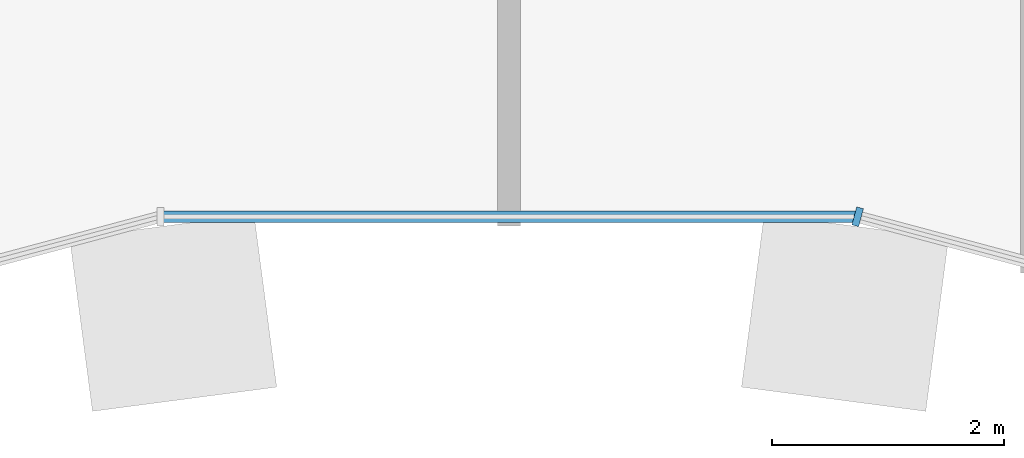
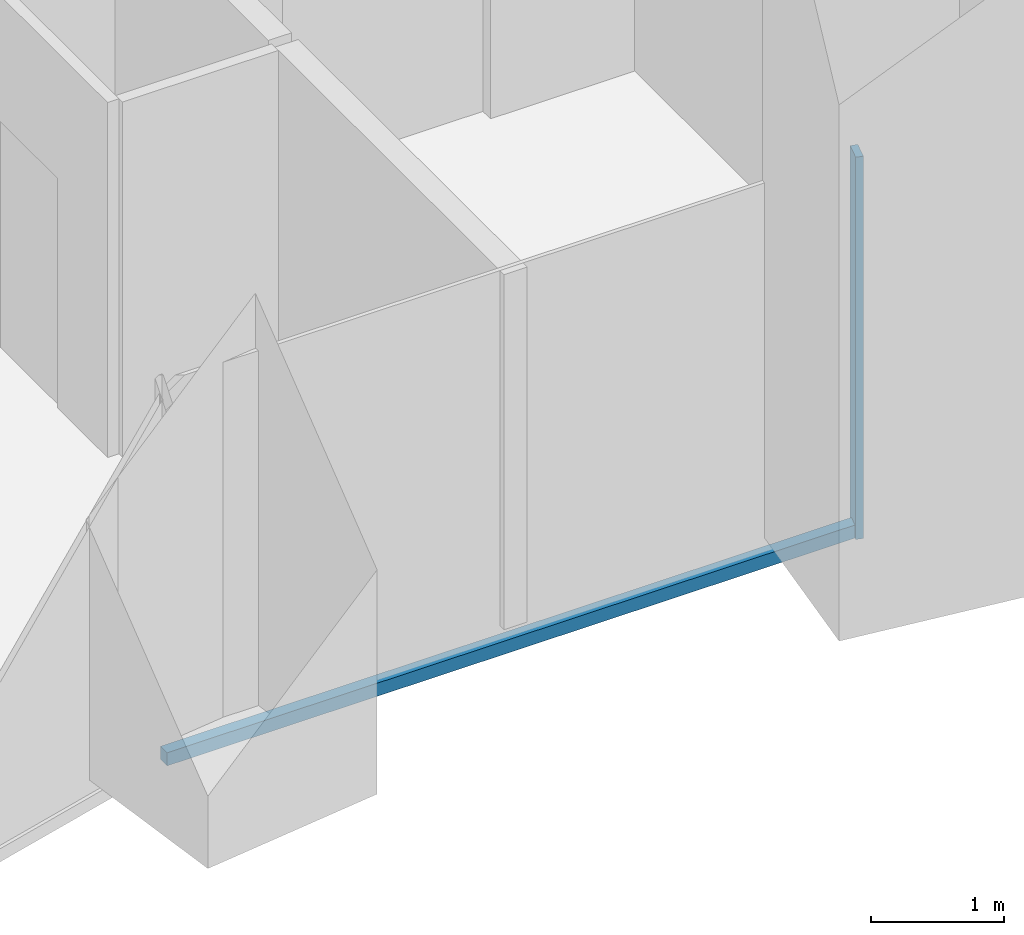
# One storey, part 3 of 17: 2 members, 2 elements without a shape of their own.
"""IFC4 building model written with IfcOpenShell, lengths in metres."""

from ifc_helpers import new_model, si_unit, direction, frame, origin, origin_2d, place, context, subcontext, project, spatial, rectangle, extrude, material, layer, layer_set, material_profile, profile_set, type_object, element, aggregate, save


model = new_model("IFC4")

# Units and contexts
model_context = context("Model", 3, precision=1e-05, world=origin(), true_north=direction((0.0, 1.0)))
body_context = subcontext(model_context, "Body", "Model", "MODEL_VIEW")
ifc_project = project(units=[si_unit("LENGTHUNIT", "METRE"), si_unit("AREAUNIT", "SQUARE_METRE"), si_unit("VOLUMEUNIT", "CUBIC_METRE"), si_unit("PLANEANGLEUNIT", "RADIAN"), si_unit("MASSUNIT", "GRAM", prefix="KILO")], contexts=[model_context])

# Site, building, storey
site_placement = place(None, origin())
site = spatial("IfcSite", under=ifc_project, at=site_placement, CompositionType="ELEMENT")
building_placement = place(site_placement, origin())
building = spatial("IfcBuilding", under=site, at=building_placement, Name="Plateau Cross Towers", CompositionType="ELEMENT")
storey_placement = place(building_placement, frame((0.0, 0.0, 190.89990234375)))
storey = spatial("IfcBuildingStorey", under=building, at=storey_placement, Name="L49", CompositionType="ELEMENT", Elevation=190.89990234375)

# Curtain wall, member
ifc_material_1 = material(Name="Dark low-iron glass", Category="glass")
ifc_layer = layer(ifc_material_1, 0.260009765625)
ifc_layer_set = layer_set([ifc_layer], Name="Dark low-iron glass")
curtain_wall_type = type_object("IfcCurtainWallType", Name="Curtain wall fluted unitised CW-A", PredefinedType="NOTDEFINED", material=ifc_layer_set)
curtain_wall_1_placement = place(storey_placement, origin())
curtain_wall_1 = element("IfcCurtainWall", 1, at=curtain_wall_1_placement, inside=storey, type_object=curtain_wall_type, Name="ENV/A/L49/A300_16", PredefinedType="NOTDEFINED")
ifc_material_2 = material(Name="Black anodised aluminium", Category="aluminium")
ifc_material_profile_1 = material_profile(ifc_material_2, rectangle(XDim=0.06005859375, YDim=0.159912109375, at=origin_2d()), Name="MULLION 60x160")
ifc_profile_set_1 = profile_set([ifc_material_profile_1], Name="Black anodised aluminium")
member_type_1 = type_object("IfcMemberType", Name="Mullion 60x160 fluted unitised", PredefinedType="MULLION", material=ifc_profile_set_1)
member_1_placement = place(storey_placement, frame((30.0, 1.60693359375, -0.25), z_axis=(0.0, 0.0, 1.0), x_axis=(0.965957983404, -0.258699003279, 0.0)))
member_1 = element("IfcMember", 2, at=member_1_placement, type_object=member_type_1, Name="CW-A mullion 1", PredefinedType="MULLION", context=body_context, shape_type="SweptSolid", body=[
    extrude(rectangle(XDim=0.06005859375, YDim=0.159912109375, at=origin_2d()), origin(), (0.0, 0.0, 1.0), 3.5),
])
aggregate(curtain_wall_1, [member_1])

curtain_wall_2_placement = place(storey_placement, origin())
curtain_wall_2 = element("IfcCurtainWall", 3, at=curtain_wall_2_placement, inside=storey, type_object=curtain_wall_type, Name="ENV/A/L49/A240_16", PredefinedType="NOTDEFINED")
ifc_material_profile_2 = material_profile(ifc_material_2, rectangle(XDim=0.10009765625, YDim=0.1201171875, at=origin_2d()), Name="TRANSOM 100x120")
ifc_profile_set_2 = profile_set([ifc_material_profile_2], Name="Black anodised aluminium")
member_type_2 = type_object("IfcMemberType", Name="Transom 100x120 fluted unitised", PredefinedType="USERDEFINED", material=ifc_profile_set_2)
member_2_placement = place(storey_placement, frame((24.0, 1.60693359375, -0.18994140625), z_axis=(1.0, 0.0, 0.0), x_axis=(0.0, 1.0, 0.0)))
member_2 = element("IfcMember", 4, at=member_2_placement, type_object=member_type_2, Name="CW-A transom", ObjectType="TRANSOM", PredefinedType="USERDEFINED", context=body_context, shape_type="SweptSolid", body=[
    extrude(rectangle(XDim=0.10009765625, YDim=0.1201171875, at=origin_2d()), origin(), (0.0, 0.0, 1.0), 6.0),
])
aggregate(curtain_wall_2, [member_2])

save(model, "model.ifc")
